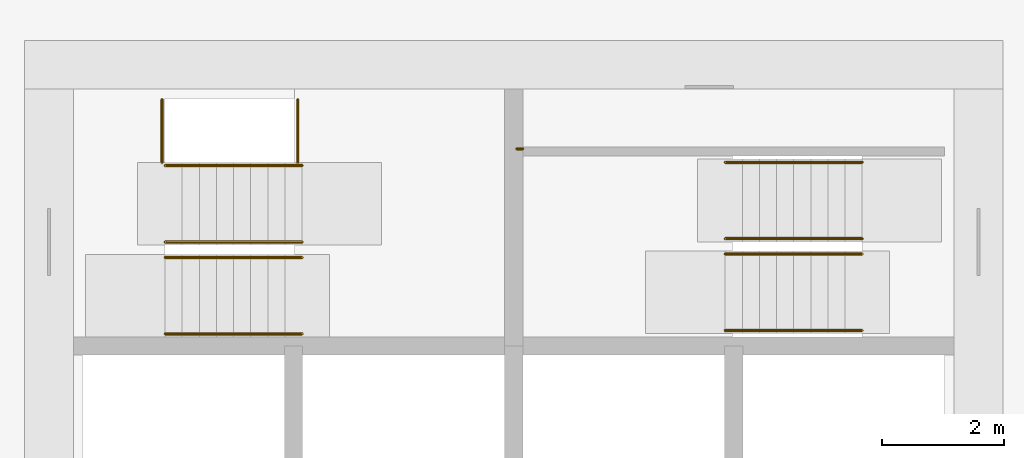
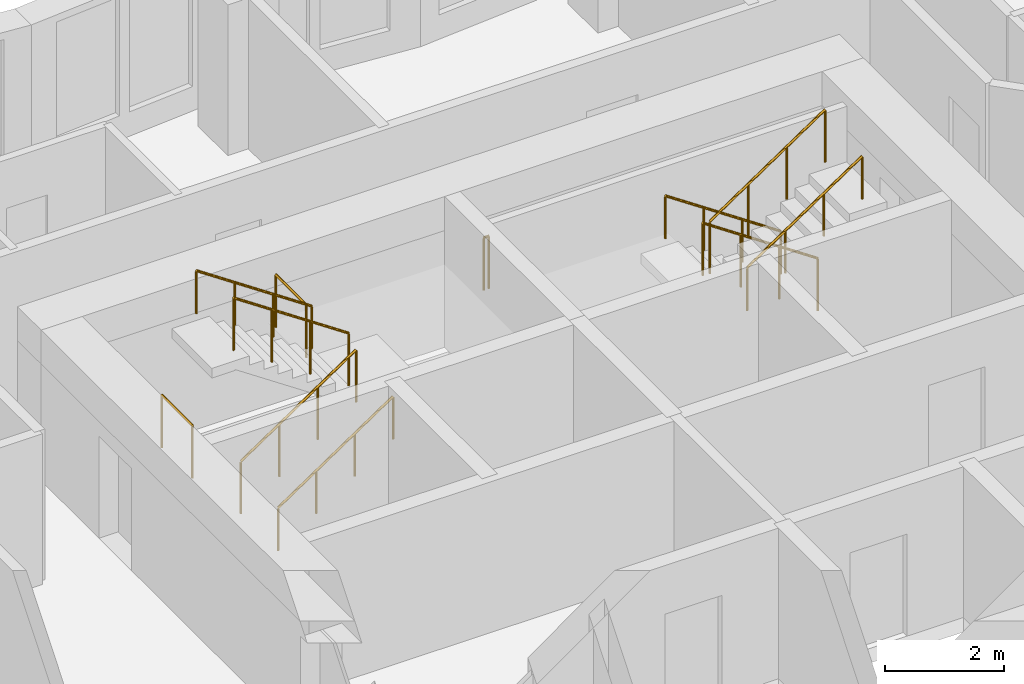
# One storey, part 11 of 12: 11 railings.
"""IFC4 building model written with IfcOpenShell, lengths in metres."""

from ifc_helpers import new_model, si_unit, direction, frame, origin, origin_2d, place, context, subcontext, project, spatial, circle, extrude, material, type_object, element, save


model = new_model("IFC4")

# Units and contexts
model_context = context("Model", 3, precision=1e-05, world=origin(), true_north=direction((0.0, 1.0)))
body_context = subcontext(model_context, "Body", "Model", "MODEL_VIEW")
ifc_project = project(units=[si_unit("LENGTHUNIT", "METRE"), si_unit("AREAUNIT", "SQUARE_METRE"), si_unit("VOLUMEUNIT", "CUBIC_METRE"), si_unit("PLANEANGLEUNIT", "RADIAN"), si_unit("MASSUNIT", "GRAM", prefix="KILO")], contexts=[model_context])

# Site, building, storey
site_placement = place(None, origin())
site = spatial("IfcSite", under=ifc_project, at=site_placement, CompositionType="ELEMENT")
building_placement = place(site_placement, origin())
building = spatial("IfcBuilding", under=site, at=building_placement, Name="Windrow Commons", CompositionType="ELEMENT")
storey_placement = place(building_placement, frame((0.0, 0.0, 84.6)))
storey = spatial("IfcBuildingStorey", under=building, at=storey_placement, Name="L22", CompositionType="ELEMENT", Elevation=84.6)

# Railings
ifc_material_1 = material(Name="Steel S355", Category="steel")
railing_type_1 = type_object("IfcRailingType", Name="Core stair guard 1100", PredefinedType="GUARDRAIL", material=ifc_material_1)
railing_1_placement = place(storey_placement, frame((59.1, 62.05, 0.1889)))
element("IfcRailing", 1, at=railing_1_placement, inside=storey, type_object=railing_type_1, Name="L22 ST-A1 stair guard 1", PredefinedType="GUARDRAIL", context=body_context, shape_type="SweptSolid", body=[
    extrude(circle(Radius=0.024, at=origin_2d()), frame((0.0, 0.0, 1.076), z_axis=(0.8290030985, 0.0, 0.5592440099), x_axis=(0.0, 1.0, 0.0)), (0.0, 0.0, 1.0), 2.702),
    extrude(circle(Radius=0.021, at=origin_2d()), origin(), (0.0, 0.0, 1.0), 1.052),
    extrude(circle(Radius=0.021, at=origin_2d()), frame((0.7467, 0.0, 0.5037)), (0.0, 0.0, 1.0), 1.052),
    extrude(circle(Radius=0.021, at=origin_2d()), frame((1.4933, 0.0, 1.0074)), (0.0, 0.0, 1.0), 1.052),
    extrude(circle(Radius=0.021, at=origin_2d()), frame((2.24, 0.0, 1.5111)), (0.0, 0.0, 1.0), 1.052),
])
railing_2_placement = place(storey_placement, frame((61.34, 62.3, 1.8889)))
element("IfcRailing", 2, at=railing_2_placement, inside=storey, type_object=railing_type_1, Name="L22 ST-A1 stair guard 2", PredefinedType="GUARDRAIL", context=body_context, shape_type="SweptSolid", body=[
    extrude(circle(Radius=0.024, at=origin_2d()), frame((0.0, 0.0, 1.076), z_axis=(-0.8290030985, 0.0, 0.5592440099), x_axis=(0.0, -1.0, 0.0)), (0.0, 0.0, 1.0), 2.702),
    extrude(circle(Radius=0.021, at=origin_2d()), origin(), (0.0, 0.0, 1.0), 1.052),
    extrude(circle(Radius=0.021, at=origin_2d()), frame((-0.7467, 0.0, 0.5037)), (0.0, 0.0, 1.0), 1.052),
    extrude(circle(Radius=0.021, at=origin_2d()), frame((-1.4933, 0.0, 1.0074)), (0.0, 0.0, 1.0), 1.052),
    extrude(circle(Radius=0.021, at=origin_2d()), frame((-2.24, 0.0, 1.5111)), (0.0, 0.0, 1.0), 1.052),
])
for number, where, name in (
    (3, (59.05, 63.6, 0.0), "L22 ST-A1 stair guard 3"),
    (4, (61.27, 63.6, 1.7), "L22 ST-A1 stair guard 4"),
):
    element("IfcRailing", number, at=place(storey_placement, frame(where)), inside=storey, type_object=railing_type_1, Name=name, PredefinedType="GUARDRAIL", context=body_context, shape_type="SweptSolid", body=[
        extrude(circle(Radius=0.024, at=origin_2d()), frame((0.0, 0.0, 1.076), z_axis=(0.0, 1.0, 0.0), x_axis=(-1.0, 0.0, 0.0)), (0.0, 0.0, 1.0), 1.03),
        extrude(circle(Radius=0.021, at=origin_2d()), origin(), (0.0, 0.0, 1.0), 1.052),
        extrude(circle(Radius=0.021, at=origin_2d()), frame((0.0, 1.03, 0.0)), (0.0, 0.0, 1.0), 1.052),
    ])
railing_3_placement = place(storey_placement, frame((70.5, 62.355, 0.1889)))
element("IfcRailing", 5, at=railing_3_placement, inside=storey, type_object=railing_type_1, Name="L22 ST-A2 stair guard 1", PredefinedType="GUARDRAIL", context=body_context, shape_type="SweptSolid", body=[
    extrude(circle(Radius=0.024, at=origin_2d()), frame((0.0, 0.0, 1.076), z_axis=(-0.8290030985, 0.0, 0.5592440099), x_axis=(0.0, -1.0, 0.0)), (0.0, 0.0, 1.0), 2.702),
    extrude(circle(Radius=0.021, at=origin_2d()), origin(), (0.0, 0.0, 1.0), 1.052),
    extrude(circle(Radius=0.021, at=origin_2d()), frame((-0.7467, 0.0, 0.5037)), (0.0, 0.0, 1.0), 1.052),
    extrude(circle(Radius=0.021, at=origin_2d()), frame((-1.4933, 0.0, 1.0074)), (0.0, 0.0, 1.0), 1.052),
    extrude(circle(Radius=0.021, at=origin_2d()), frame((-2.24, 0.0, 1.5111)), (0.0, 0.0, 1.0), 1.052),
])
railing_4_placement = place(storey_placement, frame((68.26, 62.105, 1.8889)))
element("IfcRailing", 6, at=railing_4_placement, inside=storey, type_object=railing_type_1, Name="L22 ST-A2 stair guard 2", PredefinedType="GUARDRAIL", context=body_context, shape_type="SweptSolid", body=[
    extrude(circle(Radius=0.024, at=origin_2d()), frame((0.0, 0.0, 1.076), z_axis=(0.8290030985, 0.0, 0.5592440099), x_axis=(0.0, 1.0, 0.0)), (0.0, 0.0, 1.0), 2.702),
    extrude(circle(Radius=0.021, at=origin_2d()), origin(), (0.0, 0.0, 1.0), 1.052),
    extrude(circle(Radius=0.021, at=origin_2d()), frame((0.7467, 0.0, 0.5037)), (0.0, 0.0, 1.0), 1.052),
    extrude(circle(Radius=0.021, at=origin_2d()), frame((1.4933, 0.0, 1.0074)), (0.0, 0.0, 1.0), 1.052),
    extrude(circle(Radius=0.021, at=origin_2d()), frame((2.24, 0.0, 1.5111)), (0.0, 0.0, 1.0), 1.052),
])
railing_5_placement = place(storey_placement, frame((64.95, 63.825, 1.7)))
element("IfcRailing", 7, at=railing_5_placement, inside=storey, type_object=railing_type_1, Name="L22 ST-A2 stair guard 3", PredefinedType="GUARDRAIL", context=body_context, shape_type="SweptSolid", body=[
    extrude(circle(Radius=0.024, at=origin_2d()), frame((0.0, 0.0, 1.076), z_axis=(-1.0, 0.0, 0.0), x_axis=(0.0, -1.0, 0.0)), (0.0, 0.0, 1.0), 0.1),
    extrude(circle(Radius=0.021, at=origin_2d()), origin(), (0.0, 0.0, 1.0), 1.052),
    extrude(circle(Radius=0.021, at=origin_2d()), frame((-0.1, 0.0, 0.0)), (0.0, 0.0, 1.0), 1.052),
])
ifc_material_2 = material(Name="Steel S355", Category="steel")
railing_type_2 = type_object("IfcRailingType", Name="Core stair handrail 900", PredefinedType="HANDRAIL", material=ifc_material_2)
railing_6_placement = place(storey_placement, frame((59.1, 60.8, 0.1889)))
element("IfcRailing", 8, at=railing_6_placement, inside=storey, type_object=railing_type_2, Name="L22 ST-A1 stair handrail 1", PredefinedType="HANDRAIL", context=body_context, shape_type="SweptSolid", body=[
    extrude(circle(Radius=0.024, at=origin_2d()), frame((0.0, 0.0, 0.876), z_axis=(0.8290030985, 0.0, 0.5592440099), x_axis=(0.0, 1.0, 0.0)), (0.0, 0.0, 1.0), 2.702),
    extrude(circle(Radius=0.021, at=origin_2d()), origin(), (0.0, 0.0, 1.0), 0.852),
    extrude(circle(Radius=0.021, at=origin_2d()), frame((0.7467, 0.0, 0.5037)), (0.0, 0.0, 1.0), 0.852),
    extrude(circle(Radius=0.021, at=origin_2d()), frame((1.4933, 0.0, 1.0074)), (0.0, 0.0, 1.0), 0.852),
    extrude(circle(Radius=0.021, at=origin_2d()), frame((2.24, 0.0, 1.5111)), (0.0, 0.0, 1.0), 0.852),
])
for number, where, name in (
    (9, (61.34, 63.55, 1.8889), "L22 ST-A1 stair handrail 2"),
    (10, (70.5, 63.605, 0.1889), "L22 ST-A2 stair handrail 1"),
):
    element("IfcRailing", number, at=place(storey_placement, frame(where)), inside=storey, type_object=railing_type_2, Name=name, PredefinedType="HANDRAIL", context=body_context, shape_type="SweptSolid", body=[
        extrude(circle(Radius=0.024, at=origin_2d()), frame((0.0, 0.0, 0.876), z_axis=(-0.8290030985, 0.0, 0.5592440099), x_axis=(0.0, -1.0, 0.0)), (0.0, 0.0, 1.0), 2.702),
        extrude(circle(Radius=0.021, at=origin_2d()), origin(), (0.0, 0.0, 1.0), 0.852),
        extrude(circle(Radius=0.021, at=origin_2d()), frame((-0.7467, 0.0, 0.5037)), (0.0, 0.0, 1.0), 0.852),
        extrude(circle(Radius=0.021, at=origin_2d()), frame((-1.4933, 0.0, 1.0074)), (0.0, 0.0, 1.0), 0.852),
        extrude(circle(Radius=0.021, at=origin_2d()), frame((-2.24, 0.0, 1.5111)), (0.0, 0.0, 1.0), 0.852),
    ])
railing_7_placement = place(storey_placement, frame((68.26, 60.855, 1.8889)))
element("IfcRailing", 11, at=railing_7_placement, inside=storey, type_object=railing_type_2, Name="L22 ST-A2 stair handrail 2", PredefinedType="HANDRAIL", context=body_context, shape_type="SweptSolid", body=[
    extrude(circle(Radius=0.024, at=origin_2d()), frame((0.0, 0.0, 0.876), z_axis=(0.8290030985, 0.0, 0.5592440099), x_axis=(0.0, 1.0, 0.0)), (0.0, 0.0, 1.0), 2.702),
    extrude(circle(Radius=0.021, at=origin_2d()), origin(), (0.0, 0.0, 1.0), 0.852),
    extrude(circle(Radius=0.021, at=origin_2d()), frame((0.7467, 0.0, 0.5037)), (0.0, 0.0, 1.0), 0.852),
    extrude(circle(Radius=0.021, at=origin_2d()), frame((1.4933, 0.0, 1.0074)), (0.0, 0.0, 1.0), 0.852),
    extrude(circle(Radius=0.021, at=origin_2d()), frame((2.24, 0.0, 1.5111)), (0.0, 0.0, 1.0), 0.852),
])

save(model, "model.ifc")
